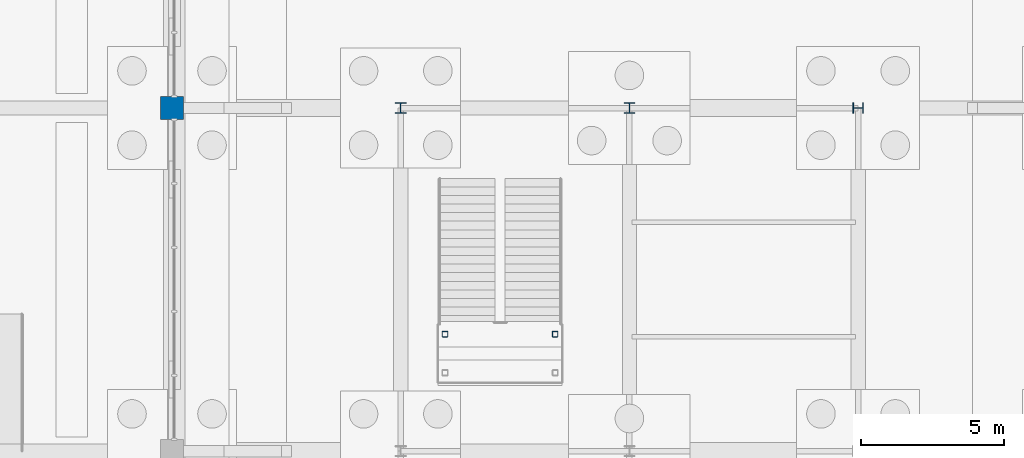
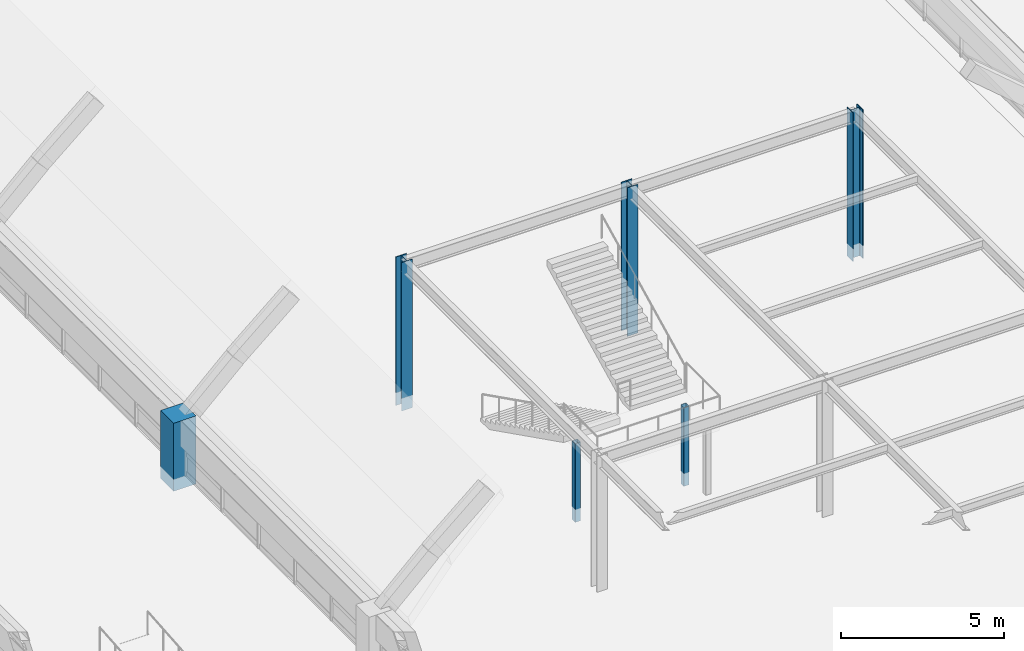
# One storey, part 16 of 129: 6 columns.
"""IFC4 building model written with IfcOpenShell, lengths in metres."""

from ifc_helpers import new_model, si_unit, direction, frame, origin, origin_2d, place, context, subcontext, project, spatial, rectangle, hollow_rectangle, i_section, extrude, material, material_profile, profile_set, type_object, element, save


model = new_model("IFC4")

# Units and contexts
model_context = context("Model", 3, precision=1e-05, world=origin(), true_north=direction((0.0, 1.0)))
body_context = subcontext(model_context, "Body", "Model", "MODEL_VIEW")
ifc_project = project(units=[si_unit("LENGTHUNIT", "METRE"), si_unit("AREAUNIT", "SQUARE_METRE"), si_unit("VOLUMEUNIT", "CUBIC_METRE"), si_unit("PLANEANGLEUNIT", "RADIAN"), si_unit("MASSUNIT", "GRAM", prefix="KILO")], contexts=[model_context])

# Site, building, storey
site_placement = place(None, origin())
site = spatial("IfcSite", under=ifc_project, at=site_placement, CompositionType="ELEMENT")
building_placement = place(site_placement, origin())
building = spatial("IfcBuilding", under=site, at=building_placement, Name="Sitalva Quay Ferry Terminal", CompositionType="ELEMENT")
storey_placement = place(building_placement, origin())
storey = spatial("IfcBuildingStorey", under=building, at=storey_placement, Name="L01", CompositionType="ELEMENT", Elevation=0.0)

# Columns
ifc_material_1 = material(Name="Concrete C40/50", Category="concrete")
ifc_material_profile_1 = material_profile(ifc_material_1, rectangle(XDim=0.800048828125, YDim=0.800048828125, at=origin_2d()), Name="RC800x800")
ifc_profile_set_1 = profile_set([ifc_material_profile_1], Name="Concrete C40/50")
column_type_1 = type_object("IfcColumnType", Name="Col_RC800x800", PredefinedType="COLUMN", material=ifc_profile_set_1)
column_placement = place(storey_placement, frame((42.0, 30.0, -0.449951171875), z_axis=(0.0, 0.0, 1.0), x_axis=(1.0, 0.0, 0.0)))
element("IfcColumn", 1, at=column_placement, inside=storey, type_object=column_type_1, Name="L01 column 6E", PredefinedType="COLUMN", context=body_context, shape_type="SweptSolid", body=[
    extrude(rectangle(XDim=0.800048828125, YDim=0.800048828125, at=origin_2d()), origin(), (0.0, 0.0, 1.0), 2.550048828125),
])
ifc_material_2 = material(Name="Structural Steel S355JR", Category="steel")
ifc_material_profile_2 = material_profile(ifc_material_2, hollow_rectangle(XDim=0.199951171875, YDim=0.199951171875, WallThickness=0.010009765625, InnerFilletRadius=0.010009765625, OuterFilletRadius=0.02001953125, at=origin_2d()), Name="SHS200x200x10")
ifc_profile_set_2 = profile_set([ifc_material_profile_2], Name="Structural Steel S355JR")
column_type_2 = type_object("IfcColumnType", Name="Col_SHS200x10", PredefinedType="COLUMN", material=ifc_profile_set_2)
for number, where, z_axis, x_axis, name in (
    (2, (51.550048828125, 22.090087890625, -0.449951171875), (0.0, 0.0, 1.0), (1.0, 0.0, 0.0), "Feature stair ST-11 landing support C"),
    (3, (55.39990234375, 22.090087890625, -0.449951171875), (0.0, 0.0, 1.0), (1.0, 0.0, 0.0), "Feature stair ST-11 landing support D"),
):
    element("IfcColumn", number, at=place(storey_placement, frame(where, z_axis=z_axis, x_axis=x_axis)), inside=storey, type_object=column_type_2, Name=name, PredefinedType="COLUMN", context=body_context, shape_type="SweptSolid", body=[
        extrude(hollow_rectangle(XDim=0.199951171875, YDim=0.199951171875, WallThickness=0.010009765625, InnerFilletRadius=0.010009765625, OuterFilletRadius=0.02001953125, at=origin_2d()), origin(), (0.0, 0.0, 1.0), 2.949951171875),
    ])
ifc_material_3 = material(Name="Structural Steel S355JR", Category="steel")
ifc_material_profile_3 = material_profile(ifc_material_3, i_section(OverallWidth=0.3740234375, OverallDepth=0.3720703125, WebThickness=0.016357421875, FlangeThickness=0.026123046875, FilletRadius=0.01611328125, at=origin_2d()), Name="W360x196")
ifc_profile_set_3 = profile_set([ifc_material_profile_3], Name="Structural Steel S355JR")
column_type_3 = type_object("IfcColumnType", Name="Col_W360x196", PredefinedType="COLUMN", material=ifc_profile_set_3)
for number, where, z_axis, x_axis, name in (
    (4, (50.0, 30.0, -0.449951171875), (0.0, 0.0, 1.0), (1.0, 0.0, 0.0), "L01 column 7E"),
    (5, (58.0, 30.0, -0.449951171875), (0.0, 0.0, 1.0), (1.0, 0.0, 0.0), "L01 column 8E"),
    (6, (66.0, 30.0, -0.449951171875), (0.0, 0.0, 1.0), (0.0, 1.0, 0.0), "L01 column 9E"),
):
    element("IfcColumn", number, at=place(storey_placement, frame(where, z_axis=z_axis, x_axis=x_axis)), inside=storey, type_object=column_type_3, Name=name, PredefinedType="COLUMN", context=body_context, shape_type="SweptSolid", body=[
        extrude(i_section(OverallWidth=0.3740234375, OverallDepth=0.3720703125, WebThickness=0.016357421875, FlangeThickness=0.026123046875, FilletRadius=0.01611328125, at=origin_2d()), origin(), (0.0, 0.0, 1.0), 5.570068359375),
    ])

save(model, "model.ifc")
